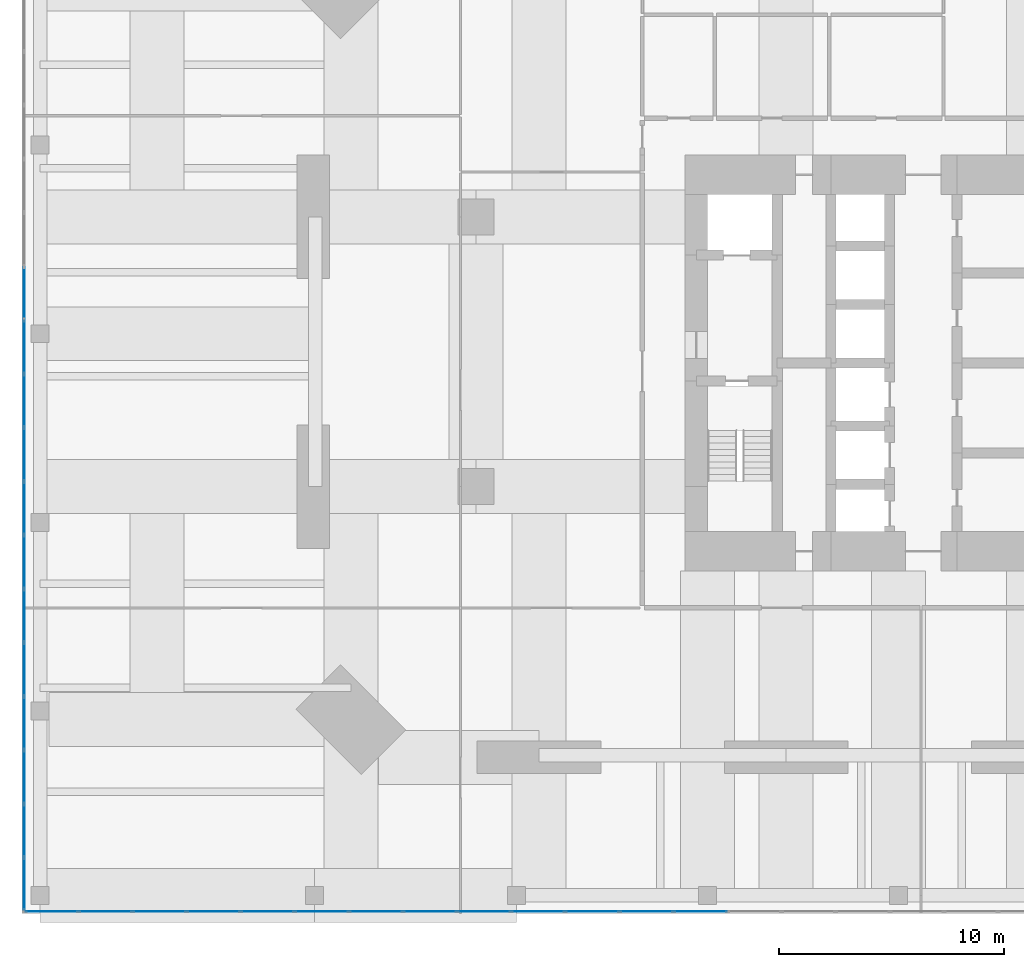
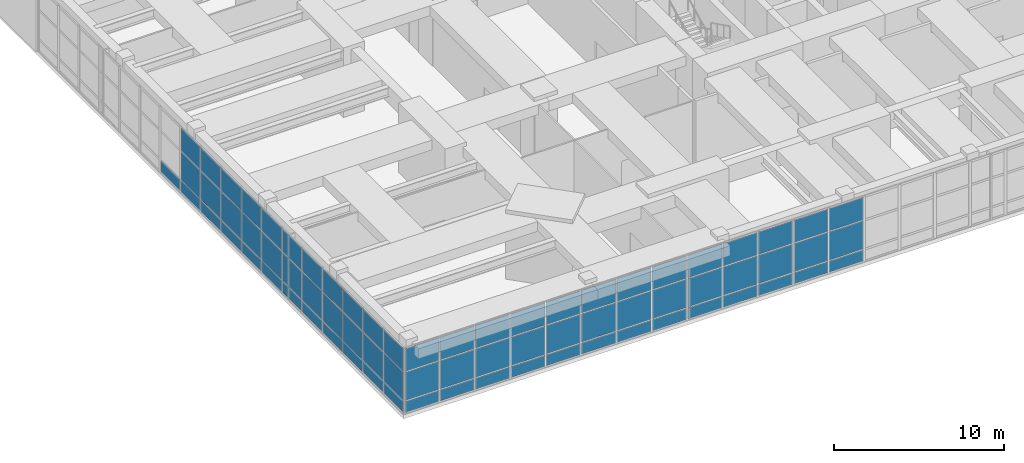
# One storey, part 14 of 24: 73 plates, 2 elements without a shape of their own.
"""IFC4 building model written with IfcOpenShell, lengths in metres."""

from ifc_helpers import new_model, si_unit, direction, frame, origin, origin_2d, place, context, subcontext, project, spatial, rectangle, extrude, material, layer, layer_set, type_object, element, aggregate, save


model = new_model("IFC4")

# Units and contexts
model_context = context("Model", 3, precision=1e-05, world=origin(), true_north=direction((0.0, 1.0)))
body_context = subcontext(model_context, "Body", "Model", "MODEL_VIEW")
ifc_project = project(units=[si_unit("LENGTHUNIT", "METRE"), si_unit("AREAUNIT", "SQUARE_METRE"), si_unit("VOLUMEUNIT", "CUBIC_METRE"), si_unit("PLANEANGLEUNIT", "RADIAN"), si_unit("MASSUNIT", "GRAM", prefix="KILO")], contexts=[model_context])

# Site, building, storey
site_placement = place(None, origin())
site = spatial("IfcSite", under=ifc_project, at=site_placement, CompositionType="ELEMENT")
building_placement = place(site_placement, origin())
building = spatial("IfcBuilding", under=site, at=building_placement, Name="Jalousie Tower", CompositionType="ELEMENT")
storey_placement = place(building_placement, frame((0.0, 0.0, 11.0)))
storey = spatial("IfcBuildingStorey", under=building, at=storey_placement, Name="L02", CompositionType="ELEMENT", Elevation=11.0)

# Curtain wall, plates
ifc_material_1 = material(Name="Aluminium curtain wall", Category="aluminium")
curtain_wall_type = type_object("IfcCurtainWallType", Name="PODIUM WINDOW WALL", PredefinedType="USERDEFINED", material=ifc_material_1)
curtain_wall_1_placement = place(storey_placement, origin())
curtain_wall_1 = element("IfcCurtainWall", 1, at=curtain_wall_1_placement, inside=storey, type_object=curtain_wall_type, Name="Podium Window Wall L02 1", ObjectType="PODIUM WINDOW WALL", PredefinedType="USERDEFINED")
ifc_material_2 = material(Name="Laminated impact-rated glass", Category="glass")
ifc_layer = layer(ifc_material_2, 0.030029296875)
ifc_layer_set = layer_set([ifc_layer], Name="Laminated impact-rated glass")
plate_type = type_object("IfcPlateType", Name="PODIUM WINDOW WALL PANEL", PredefinedType="CURTAIN_PANEL", material=ifc_layer_set)
plate_1_placement = place(storey_placement, frame((-8.691162109375, -5.91259765625, 0.070068359375), z_axis=(0.0, 0.0, 1.0), x_axis=(1.0, 0.0, 0.0)))
plate_1 = element("IfcPlate", 2, at=plate_1_placement, type_object=plate_type, Name="CW-P panel 1.1", PredefinedType="CURTAIN_PANEL", context=body_context, shape_type="SweptSolid", body=[
    extrude(rectangle(XDim=2.302734375, YDim=0.030029296875, at=origin_2d()), origin(), (0.0, 0.0, 1.0), 0.794921875),
])
plate_2_placement = place(storey_placement, frame((-8.691162109375, -5.91259765625, 0.93505859375), z_axis=(0.0, 0.0, 1.0), x_axis=(1.0, 0.0, 0.0)))
plate_2 = element("IfcPlate", 3, at=plate_2_placement, type_object=plate_type, Name="CW-P panel 1.2", PredefinedType="CURTAIN_PANEL", context=body_context, shape_type="SweptSolid", body=[
    extrude(rectangle(XDim=2.302734375, YDim=0.030029296875, at=origin_2d()), origin(), (0.0, 0.0, 1.0), 2.030029296875),
])
plate_3_placement = place(storey_placement, frame((-8.691162109375, -5.91259765625, 3.03515625), z_axis=(0.0, 0.0, 1.0), x_axis=(1.0, 0.0, 0.0)))
plate_3 = element("IfcPlate", 4, at=plate_3_placement, type_object=plate_type, Name="CW-P panel 1.3", PredefinedType="CURTAIN_PANEL", context=body_context, shape_type="SweptSolid", body=[
    extrude(rectangle(XDim=2.302734375, YDim=0.030029296875, at=origin_2d()), origin(), (0.0, 0.0, 1.0), 1.614990234375),
])
plate_4_placement = place(storey_placement, frame((-6.30078125, -5.91259765625, 0.070068359375), z_axis=(0.0, 0.0, 1.0), x_axis=(1.0, 0.0, 0.0)))
plate_4 = element("IfcPlate", 5, at=plate_4_placement, type_object=plate_type, Name="CW-P panel 2.1", PredefinedType="CURTAIN_PANEL", context=body_context, shape_type="SweptSolid", body=[
    extrude(rectangle(XDim=2.337646484375, YDim=0.030029296875, at=origin_2d()), origin(), (0.0, 0.0, 1.0), 0.794921875),
])
plate_5_placement = place(storey_placement, frame((-6.30078125, -5.91259765625, 0.93505859375), z_axis=(0.0, 0.0, 1.0), x_axis=(1.0, 0.0, 0.0)))
plate_5 = element("IfcPlate", 6, at=plate_5_placement, type_object=plate_type, Name="CW-P panel 2.2", PredefinedType="CURTAIN_PANEL", context=body_context, shape_type="SweptSolid", body=[
    extrude(rectangle(XDim=2.337646484375, YDim=0.030029296875, at=origin_2d()), origin(), (0.0, 0.0, 1.0), 2.030029296875),
])
plate_6_placement = place(storey_placement, frame((-6.30078125, -5.91259765625, 3.03515625), z_axis=(0.0, 0.0, 1.0), x_axis=(1.0, 0.0, 0.0)))
plate_6 = element("IfcPlate", 7, at=plate_6_placement, type_object=plate_type, Name="CW-P panel 2.3", PredefinedType="CURTAIN_PANEL", context=body_context, shape_type="SweptSolid", body=[
    extrude(rectangle(XDim=2.337646484375, YDim=0.030029296875, at=origin_2d()), origin(), (0.0, 0.0, 1.0), 1.614990234375),
])
plate_7_placement = place(storey_placement, frame((-3.89306640625, -5.91259765625, 0.070068359375), z_axis=(0.0, 0.0, 1.0), x_axis=(1.0, 0.0, 0.0)))
plate_7 = element("IfcPlate", 8, at=plate_7_placement, type_object=plate_type, Name="CW-P panel 3.1", PredefinedType="CURTAIN_PANEL", context=body_context, shape_type="SweptSolid", body=[
    extrude(rectangle(XDim=2.337646484375, YDim=0.030029296875, at=origin_2d()), origin(), (0.0, 0.0, 1.0), 0.794921875),
])
plate_8_placement = place(storey_placement, frame((-3.89306640625, -5.91259765625, 0.93505859375), z_axis=(0.0, 0.0, 1.0), x_axis=(1.0, 0.0, 0.0)))
plate_8 = element("IfcPlate", 9, at=plate_8_placement, type_object=plate_type, Name="CW-P panel 3.2", PredefinedType="CURTAIN_PANEL", context=body_context, shape_type="SweptSolid", body=[
    extrude(rectangle(XDim=2.337646484375, YDim=0.030029296875, at=origin_2d()), origin(), (0.0, 0.0, 1.0), 2.030029296875),
])
plate_9_placement = place(storey_placement, frame((-3.89306640625, -5.91259765625, 3.03515625), z_axis=(0.0, 0.0, 1.0), x_axis=(1.0, 0.0, 0.0)))
plate_9 = element("IfcPlate", 10, at=plate_9_placement, type_object=plate_type, Name="CW-P panel 3.3", PredefinedType="CURTAIN_PANEL", context=body_context, shape_type="SweptSolid", body=[
    extrude(rectangle(XDim=2.337646484375, YDim=0.030029296875, at=origin_2d()), origin(), (0.0, 0.0, 1.0), 1.614990234375),
])
plate_10_placement = place(storey_placement, frame((-1.4853515625, -5.91259765625, 0.070068359375), z_axis=(0.0, 0.0, 1.0), x_axis=(1.0, 0.0, 0.0)))
plate_10 = element("IfcPlate", 11, at=plate_10_placement, type_object=plate_type, Name="CW-P panel 4.1", PredefinedType="CURTAIN_PANEL", context=body_context, shape_type="SweptSolid", body=[
    extrude(rectangle(XDim=2.337646484375, YDim=0.030029296875, at=origin_2d()), origin(), (0.0, 0.0, 1.0), 0.794921875),
])
plate_11_placement = place(storey_placement, frame((-1.4853515625, -5.91259765625, 0.93505859375), z_axis=(0.0, 0.0, 1.0), x_axis=(1.0, 0.0, 0.0)))
plate_11 = element("IfcPlate", 12, at=plate_11_placement, type_object=plate_type, Name="CW-P panel 4.2", PredefinedType="CURTAIN_PANEL", context=body_context, shape_type="SweptSolid", body=[
    extrude(rectangle(XDim=2.337646484375, YDim=0.030029296875, at=origin_2d()), origin(), (0.0, 0.0, 1.0), 2.030029296875),
])
plate_12_placement = place(storey_placement, frame((-1.4853515625, -5.91259765625, 3.03515625), z_axis=(0.0, 0.0, 1.0), x_axis=(1.0, 0.0, 0.0)))
plate_12 = element("IfcPlate", 13, at=plate_12_placement, type_object=plate_type, Name="CW-P panel 4.3", PredefinedType="CURTAIN_PANEL", context=body_context, shape_type="SweptSolid", body=[
    extrude(rectangle(XDim=2.337646484375, YDim=0.030029296875, at=origin_2d()), origin(), (0.0, 0.0, 1.0), 1.614990234375),
])
plate_13_placement = place(storey_placement, frame((0.92236328125, -5.91259765625, 0.070068359375), z_axis=(0.0, 0.0, 1.0), x_axis=(1.0, 0.0, 0.0)))
plate_13 = element("IfcPlate", 14, at=plate_13_placement, type_object=plate_type, Name="CW-P panel 5.1", PredefinedType="CURTAIN_PANEL", context=body_context, shape_type="SweptSolid", body=[
    extrude(rectangle(XDim=2.337646484375, YDim=0.030029296875, at=origin_2d()), origin(), (0.0, 0.0, 1.0), 0.794921875),
])
plate_14_placement = place(storey_placement, frame((0.92236328125, -5.91259765625, 0.93505859375), z_axis=(0.0, 0.0, 1.0), x_axis=(1.0, 0.0, 0.0)))
plate_14 = element("IfcPlate", 15, at=plate_14_placement, type_object=plate_type, Name="CW-P panel 5.2", PredefinedType="CURTAIN_PANEL", context=body_context, shape_type="SweptSolid", body=[
    extrude(rectangle(XDim=2.337646484375, YDim=0.030029296875, at=origin_2d()), origin(), (0.0, 0.0, 1.0), 2.030029296875),
])
plate_15_placement = place(storey_placement, frame((0.92236328125, -5.91259765625, 3.03515625), z_axis=(0.0, 0.0, 1.0), x_axis=(1.0, 0.0, 0.0)))
plate_15 = element("IfcPlate", 16, at=plate_15_placement, type_object=plate_type, Name="CW-P panel 5.3", PredefinedType="CURTAIN_PANEL", context=body_context, shape_type="SweptSolid", body=[
    extrude(rectangle(XDim=2.337646484375, YDim=0.030029296875, at=origin_2d()), origin(), (0.0, 0.0, 1.0), 1.614990234375),
])
plate_16_placement = place(storey_placement, frame((3.330078125, -5.91259765625, 0.070068359375), z_axis=(0.0, 0.0, 1.0), x_axis=(1.0, 0.0, 0.0)))
plate_16 = element("IfcPlate", 17, at=plate_16_placement, type_object=plate_type, Name="CW-P panel 6.1", PredefinedType="CURTAIN_PANEL", context=body_context, shape_type="SweptSolid", body=[
    extrude(rectangle(XDim=2.337646484375, YDim=0.030029296875, at=origin_2d()), origin(), (0.0, 0.0, 1.0), 0.794921875),
])
plate_17_placement = place(storey_placement, frame((3.330078125, -5.91259765625, 0.93505859375), z_axis=(0.0, 0.0, 1.0), x_axis=(1.0, 0.0, 0.0)))
plate_17 = element("IfcPlate", 18, at=plate_17_placement, type_object=plate_type, Name="CW-P panel 6.2", PredefinedType="CURTAIN_PANEL", context=body_context, shape_type="SweptSolid", body=[
    extrude(rectangle(XDim=2.337646484375, YDim=0.030029296875, at=origin_2d()), origin(), (0.0, 0.0, 1.0), 2.030029296875),
])
plate_18_placement = place(storey_placement, frame((3.330078125, -5.91259765625, 3.03515625), z_axis=(0.0, 0.0, 1.0), x_axis=(1.0, 0.0, 0.0)))
plate_18 = element("IfcPlate", 19, at=plate_18_placement, type_object=plate_type, Name="CW-P panel 6.3", PredefinedType="CURTAIN_PANEL", context=body_context, shape_type="SweptSolid", body=[
    extrude(rectangle(XDim=2.337646484375, YDim=0.030029296875, at=origin_2d()), origin(), (0.0, 0.0, 1.0), 1.614990234375),
])
plate_19_placement = place(storey_placement, frame((5.738037109375, -5.91259765625, 0.070068359375), z_axis=(0.0, 0.0, 1.0), x_axis=(1.0, 0.0, 0.0)))
plate_19 = element("IfcPlate", 20, at=plate_19_placement, type_object=plate_type, Name="CW-P panel 7.1", PredefinedType="CURTAIN_PANEL", context=body_context, shape_type="SweptSolid", body=[
    extrude(rectangle(XDim=2.337646484375, YDim=0.030029296875, at=origin_2d()), origin(), (0.0, 0.0, 1.0), 0.794921875),
])
plate_20_placement = place(storey_placement, frame((5.738037109375, -5.91259765625, 0.93505859375), z_axis=(0.0, 0.0, 1.0), x_axis=(1.0, 0.0, 0.0)))
plate_20 = element("IfcPlate", 21, at=plate_20_placement, type_object=plate_type, Name="CW-P panel 7.2", PredefinedType="CURTAIN_PANEL", context=body_context, shape_type="SweptSolid", body=[
    extrude(rectangle(XDim=2.337646484375, YDim=0.030029296875, at=origin_2d()), origin(), (0.0, 0.0, 1.0), 2.030029296875),
])
plate_21_placement = place(storey_placement, frame((5.738037109375, -5.91259765625, 3.03515625), z_axis=(0.0, 0.0, 1.0), x_axis=(1.0, 0.0, 0.0)))
plate_21 = element("IfcPlate", 22, at=plate_21_placement, type_object=plate_type, Name="CW-P panel 7.3", PredefinedType="CURTAIN_PANEL", context=body_context, shape_type="SweptSolid", body=[
    extrude(rectangle(XDim=2.337646484375, YDim=0.030029296875, at=origin_2d()), origin(), (0.0, 0.0, 1.0), 1.614990234375),
])
plate_22_placement = place(storey_placement, frame((8.145751953125, -5.91259765625, 0.070068359375), z_axis=(0.0, 0.0, 1.0), x_axis=(1.0, 0.0, 0.0)))
plate_22 = element("IfcPlate", 23, at=plate_22_placement, type_object=plate_type, Name="CW-P panel 8.1", PredefinedType="CURTAIN_PANEL", context=body_context, shape_type="SweptSolid", body=[
    extrude(rectangle(XDim=2.337646484375, YDim=0.030029296875, at=origin_2d()), origin(), (0.0, 0.0, 1.0), 0.794921875),
])
plate_23_placement = place(storey_placement, frame((8.145751953125, -5.91259765625, 0.93505859375), z_axis=(0.0, 0.0, 1.0), x_axis=(1.0, 0.0, 0.0)))
plate_23 = element("IfcPlate", 24, at=plate_23_placement, type_object=plate_type, Name="CW-P panel 8.2", PredefinedType="CURTAIN_PANEL", context=body_context, shape_type="SweptSolid", body=[
    extrude(rectangle(XDim=2.337646484375, YDim=0.030029296875, at=origin_2d()), origin(), (0.0, 0.0, 1.0), 2.030029296875),
])
plate_24_placement = place(storey_placement, frame((8.145751953125, -5.91259765625, 3.03515625), z_axis=(0.0, 0.0, 1.0), x_axis=(1.0, 0.0, 0.0)))
plate_24 = element("IfcPlate", 25, at=plate_24_placement, type_object=plate_type, Name="CW-P panel 8.3", PredefinedType="CURTAIN_PANEL", context=body_context, shape_type="SweptSolid", body=[
    extrude(rectangle(XDim=2.337646484375, YDim=0.030029296875, at=origin_2d()), origin(), (0.0, 0.0, 1.0), 1.614990234375),
])
plate_25_placement = place(storey_placement, frame((10.553466796875, -5.91259765625, 0.070068359375), z_axis=(0.0, 0.0, 1.0), x_axis=(1.0, 0.0, 0.0)))
plate_25 = element("IfcPlate", 26, at=plate_25_placement, type_object=plate_type, Name="CW-P panel 9.1", PredefinedType="CURTAIN_PANEL", context=body_context, shape_type="SweptSolid", body=[
    extrude(rectangle(XDim=2.337646484375, YDim=0.030029296875, at=origin_2d()), origin(), (0.0, 0.0, 1.0), 0.794921875),
])
plate_26_placement = place(storey_placement, frame((10.553466796875, -5.91259765625, 0.93505859375), z_axis=(0.0, 0.0, 1.0), x_axis=(1.0, 0.0, 0.0)))
plate_26 = element("IfcPlate", 27, at=plate_26_placement, type_object=plate_type, Name="CW-P panel 9.2", PredefinedType="CURTAIN_PANEL", context=body_context, shape_type="SweptSolid", body=[
    extrude(rectangle(XDim=2.337646484375, YDim=0.030029296875, at=origin_2d()), origin(), (0.0, 0.0, 1.0), 2.030029296875),
])
plate_27_placement = place(storey_placement, frame((10.553466796875, -5.91259765625, 3.03515625), z_axis=(0.0, 0.0, 1.0), x_axis=(1.0, 0.0, 0.0)))
plate_27 = element("IfcPlate", 28, at=plate_27_placement, type_object=plate_type, Name="CW-P panel 9.3", PredefinedType="CURTAIN_PANEL", context=body_context, shape_type="SweptSolid", body=[
    extrude(rectangle(XDim=2.337646484375, YDim=0.030029296875, at=origin_2d()), origin(), (0.0, 0.0, 1.0), 1.614990234375),
])
plate_28_placement = place(storey_placement, frame((12.961181640625, -5.91259765625, 0.070068359375), z_axis=(0.0, 0.0, 1.0), x_axis=(1.0, 0.0, 0.0)))
plate_28 = element("IfcPlate", 29, at=plate_28_placement, type_object=plate_type, Name="CW-P panel 10.1", PredefinedType="CURTAIN_PANEL", context=body_context, shape_type="SweptSolid", body=[
    extrude(rectangle(XDim=2.337646484375, YDim=0.030029296875, at=origin_2d()), origin(), (0.0, 0.0, 1.0), 0.794921875),
])
plate_29_placement = place(storey_placement, frame((12.961181640625, -5.91259765625, 0.93505859375), z_axis=(0.0, 0.0, 1.0), x_axis=(1.0, 0.0, 0.0)))
plate_29 = element("IfcPlate", 30, at=plate_29_placement, type_object=plate_type, Name="CW-P panel 10.2", PredefinedType="CURTAIN_PANEL", context=body_context, shape_type="SweptSolid", body=[
    extrude(rectangle(XDim=2.337646484375, YDim=0.030029296875, at=origin_2d()), origin(), (0.0, 0.0, 1.0), 2.030029296875),
])
plate_30_placement = place(storey_placement, frame((12.961181640625, -5.91259765625, 3.03515625), z_axis=(0.0, 0.0, 1.0), x_axis=(1.0, 0.0, 0.0)))
plate_30 = element("IfcPlate", 31, at=plate_30_placement, type_object=plate_type, Name="CW-P panel 10.3", PredefinedType="CURTAIN_PANEL", context=body_context, shape_type="SweptSolid", body=[
    extrude(rectangle(XDim=2.337646484375, YDim=0.030029296875, at=origin_2d()), origin(), (0.0, 0.0, 1.0), 1.614990234375),
])
plate_31_placement = place(storey_placement, frame((15.368896484375, -5.91259765625, 0.070068359375), z_axis=(0.0, 0.0, 1.0), x_axis=(1.0, 0.0, 0.0)))
plate_31 = element("IfcPlate", 32, at=plate_31_placement, type_object=plate_type, Name="CW-P panel 11.1", PredefinedType="CURTAIN_PANEL", context=body_context, shape_type="SweptSolid", body=[
    extrude(rectangle(XDim=2.337646484375, YDim=0.030029296875, at=origin_2d()), origin(), (0.0, 0.0, 1.0), 0.794921875),
])
plate_32_placement = place(storey_placement, frame((15.368896484375, -5.91259765625, 0.93505859375), z_axis=(0.0, 0.0, 1.0), x_axis=(1.0, 0.0, 0.0)))
plate_32 = element("IfcPlate", 33, at=plate_32_placement, type_object=plate_type, Name="CW-P panel 11.2", PredefinedType="CURTAIN_PANEL", context=body_context, shape_type="SweptSolid", body=[
    extrude(rectangle(XDim=2.337646484375, YDim=0.030029296875, at=origin_2d()), origin(), (0.0, 0.0, 1.0), 2.030029296875),
])
plate_33_placement = place(storey_placement, frame((15.368896484375, -5.91259765625, 3.03515625), z_axis=(0.0, 0.0, 1.0), x_axis=(1.0, 0.0, 0.0)))
plate_33 = element("IfcPlate", 34, at=plate_33_placement, type_object=plate_type, Name="CW-P panel 11.3", PredefinedType="CURTAIN_PANEL", context=body_context, shape_type="SweptSolid", body=[
    extrude(rectangle(XDim=2.337646484375, YDim=0.030029296875, at=origin_2d()), origin(), (0.0, 0.0, 1.0), 1.614990234375),
])
plate_34_placement = place(storey_placement, frame((17.776611328125, -5.91259765625, 0.070068359375), z_axis=(0.0, 0.0, 1.0), x_axis=(1.0, 0.0, 0.0)))
plate_34 = element("IfcPlate", 35, at=plate_34_placement, type_object=plate_type, Name="CW-P panel 12.1", PredefinedType="CURTAIN_PANEL", context=body_context, shape_type="SweptSolid", body=[
    extrude(rectangle(XDim=2.337646484375, YDim=0.030029296875, at=origin_2d()), origin(), (0.0, 0.0, 1.0), 0.794921875),
])
plate_35_placement = place(storey_placement, frame((17.776611328125, -5.91259765625, 0.93505859375), z_axis=(0.0, 0.0, 1.0), x_axis=(1.0, 0.0, 0.0)))
plate_35 = element("IfcPlate", 36, at=plate_35_placement, type_object=plate_type, Name="CW-P panel 12.2", PredefinedType="CURTAIN_PANEL", context=body_context, shape_type="SweptSolid", body=[
    extrude(rectangle(XDim=2.337646484375, YDim=0.030029296875, at=origin_2d()), origin(), (0.0, 0.0, 1.0), 2.030029296875),
])
plate_36_placement = place(storey_placement, frame((17.776611328125, -5.91259765625, 3.03515625), z_axis=(0.0, 0.0, 1.0), x_axis=(1.0, 0.0, 0.0)))
plate_36 = element("IfcPlate", 37, at=plate_36_placement, type_object=plate_type, Name="CW-P panel 12.3", PredefinedType="CURTAIN_PANEL", context=body_context, shape_type="SweptSolid", body=[
    extrude(rectangle(XDim=2.337646484375, YDim=0.030029296875, at=origin_2d()), origin(), (0.0, 0.0, 1.0), 1.614990234375),
])
plate_37_placement = place(storey_placement, frame((20.1845703125, -5.91259765625, 0.070068359375), z_axis=(0.0, 0.0, 1.0), x_axis=(1.0, 0.0, 0.0)))
plate_37 = element("IfcPlate", 38, at=plate_37_placement, type_object=plate_type, Name="CW-P panel 13.1", PredefinedType="CURTAIN_PANEL", context=body_context, shape_type="SweptSolid", body=[
    extrude(rectangle(XDim=2.337646484375, YDim=0.030029296875, at=origin_2d()), origin(), (0.0, 0.0, 1.0), 0.794921875),
])
plate_38_placement = place(storey_placement, frame((20.1845703125, -5.91259765625, 0.93505859375), z_axis=(0.0, 0.0, 1.0), x_axis=(1.0, 0.0, 0.0)))
plate_38 = element("IfcPlate", 39, at=plate_38_placement, type_object=plate_type, Name="CW-P panel 13.2", PredefinedType="CURTAIN_PANEL", context=body_context, shape_type="SweptSolid", body=[
    extrude(rectangle(XDim=2.337646484375, YDim=0.030029296875, at=origin_2d()), origin(), (0.0, 0.0, 1.0), 2.030029296875),
])
plate_39_placement = place(storey_placement, frame((20.1845703125, -5.91259765625, 3.03515625), z_axis=(0.0, 0.0, 1.0), x_axis=(1.0, 0.0, 0.0)))
plate_39 = element("IfcPlate", 40, at=plate_39_placement, type_object=plate_type, Name="CW-P panel 13.3", PredefinedType="CURTAIN_PANEL", context=body_context, shape_type="SweptSolid", body=[
    extrude(rectangle(XDim=2.337646484375, YDim=0.030029296875, at=origin_2d()), origin(), (0.0, 0.0, 1.0), 1.614990234375),
])
aggregate(curtain_wall_1, [plate_1, plate_2, plate_3, plate_4, plate_5, plate_6, plate_7, plate_8, plate_9, plate_10, plate_11, plate_12, plate_13, plate_14, plate_15, plate_16, plate_17, plate_18, plate_19, plate_20, plate_21, plate_22, plate_23, plate_24, plate_25, plate_26, plate_27, plate_28, plate_29, plate_30, plate_31, plate_32, plate_33, plate_34, plate_35, plate_36, plate_37, plate_38, plate_39])

curtain_wall_2_placement = place(storey_placement, origin())
curtain_wall_2 = element("IfcCurtainWall", 41, at=curtain_wall_2_placement, inside=storey, type_object=curtain_wall_type, Name="Podium Window Wall L02 33", ObjectType="PODIUM WINDOW WALL", PredefinedType="USERDEFINED")
plate_40_placement = place(storey_placement, frame((-9.91259765625, 21.599609375, 0.070068359375), z_axis=(0.0, 0.0, 1.0), x_axis=(0.0, -1.0, 0.0)))
plate_40 = element("IfcPlate", 42, at=plate_40_placement, type_object=plate_type, Name="CW-P panel 7.1", PredefinedType="CURTAIN_PANEL", context=body_context, shape_type="SweptSolid", body=[
    extrude(rectangle(XDim=2.322265625, YDim=0.030029296875, at=origin_2d()), origin(), (0.0, 0.0, 1.0), 0.794921875),
])
plate_41_placement = place(storey_placement, frame((-9.91259765625, 19.207275390625, 0.070068359375), z_axis=(0.0, 0.0, 1.0), x_axis=(0.0, -1.0, 0.0)))
plate_41 = element("IfcPlate", 43, at=plate_41_placement, type_object=plate_type, Name="CW-P panel 8.1", PredefinedType="CURTAIN_PANEL", context=body_context, shape_type="SweptSolid", body=[
    extrude(rectangle(XDim=2.322265625, YDim=0.030029296875, at=origin_2d()), origin(), (0.0, 0.0, 1.0), 0.794921875),
])
plate_42_placement = place(storey_placement, frame((-9.91259765625, 19.207275390625, 0.93505859375), z_axis=(0.0, 0.0, 1.0), x_axis=(0.0, -1.0, 0.0)))
plate_42 = element("IfcPlate", 44, at=plate_42_placement, type_object=plate_type, Name="CW-P panel 8.2", PredefinedType="CURTAIN_PANEL", context=body_context, shape_type="SweptSolid", body=[
    extrude(rectangle(XDim=2.322265625, YDim=0.030029296875, at=origin_2d()), origin(), (0.0, 0.0, 1.0), 2.030029296875),
])
plate_43_placement = place(storey_placement, frame((-9.91259765625, 19.207275390625, 3.03515625), z_axis=(0.0, 0.0, 1.0), x_axis=(0.0, -1.0, 0.0)))
plate_43 = element("IfcPlate", 45, at=plate_43_placement, type_object=plate_type, Name="CW-P panel 8.3", PredefinedType="CURTAIN_PANEL", context=body_context, shape_type="SweptSolid", body=[
    extrude(rectangle(XDim=2.322265625, YDim=0.030029296875, at=origin_2d()), origin(), (0.0, 0.0, 1.0), 1.614990234375),
])
plate_44_placement = place(storey_placement, frame((-9.91259765625, 16.81494140625, 0.070068359375), z_axis=(0.0, 0.0, 1.0), x_axis=(0.0, -1.0, 0.0)))
plate_44 = element("IfcPlate", 46, at=plate_44_placement, type_object=plate_type, Name="CW-P panel 9.1", PredefinedType="CURTAIN_PANEL", context=body_context, shape_type="SweptSolid", body=[
    extrude(rectangle(XDim=2.322265625, YDim=0.030029296875, at=origin_2d()), origin(), (0.0, 0.0, 1.0), 0.794921875),
])
plate_45_placement = place(storey_placement, frame((-9.91259765625, 16.81494140625, 0.93505859375), z_axis=(0.0, 0.0, 1.0), x_axis=(0.0, -1.0, 0.0)))
plate_45 = element("IfcPlate", 47, at=plate_45_placement, type_object=plate_type, Name="CW-P panel 9.2", PredefinedType="CURTAIN_PANEL", context=body_context, shape_type="SweptSolid", body=[
    extrude(rectangle(XDim=2.322265625, YDim=0.030029296875, at=origin_2d()), origin(), (0.0, 0.0, 1.0), 2.030029296875),
])
plate_46_placement = place(storey_placement, frame((-9.91259765625, 16.81494140625, 3.03515625), z_axis=(0.0, 0.0, 1.0), x_axis=(0.0, -1.0, 0.0)))
plate_46 = element("IfcPlate", 48, at=plate_46_placement, type_object=plate_type, Name="CW-P panel 9.3", PredefinedType="CURTAIN_PANEL", context=body_context, shape_type="SweptSolid", body=[
    extrude(rectangle(XDim=2.322265625, YDim=0.030029296875, at=origin_2d()), origin(), (0.0, 0.0, 1.0), 1.614990234375),
])
plate_47_placement = place(storey_placement, frame((-9.91259765625, 14.422607421875, 0.070068359375), z_axis=(0.0, 0.0, 1.0), x_axis=(0.0, -1.0, 0.0)))
plate_47 = element("IfcPlate", 49, at=plate_47_placement, type_object=plate_type, Name="CW-P panel 10.1", PredefinedType="CURTAIN_PANEL", context=body_context, shape_type="SweptSolid", body=[
    extrude(rectangle(XDim=2.322265625, YDim=0.030029296875, at=origin_2d()), origin(), (0.0, 0.0, 1.0), 0.794921875),
])
plate_48_placement = place(storey_placement, frame((-9.91259765625, 14.422607421875, 0.93505859375), z_axis=(0.0, 0.0, 1.0), x_axis=(0.0, -1.0, 0.0)))
plate_48 = element("IfcPlate", 50, at=plate_48_placement, type_object=plate_type, Name="CW-P panel 10.2", PredefinedType="CURTAIN_PANEL", context=body_context, shape_type="SweptSolid", body=[
    extrude(rectangle(XDim=2.322265625, YDim=0.030029296875, at=origin_2d()), origin(), (0.0, 0.0, 1.0), 2.030029296875),
])
plate_49_placement = place(storey_placement, frame((-9.91259765625, 14.422607421875, 3.03515625), z_axis=(0.0, 0.0, 1.0), x_axis=(0.0, -1.0, 0.0)))
plate_49 = element("IfcPlate", 51, at=plate_49_placement, type_object=plate_type, Name="CW-P panel 10.3", PredefinedType="CURTAIN_PANEL", context=body_context, shape_type="SweptSolid", body=[
    extrude(rectangle(XDim=2.322265625, YDim=0.030029296875, at=origin_2d()), origin(), (0.0, 0.0, 1.0), 1.614990234375),
])
plate_50_placement = place(storey_placement, frame((-9.91259765625, 12.0302734375, 0.070068359375), z_axis=(0.0, 0.0, 1.0), x_axis=(0.0, -1.0, 0.0)))
plate_50 = element("IfcPlate", 52, at=plate_50_placement, type_object=plate_type, Name="CW-P panel 11.1", PredefinedType="CURTAIN_PANEL", context=body_context, shape_type="SweptSolid", body=[
    extrude(rectangle(XDim=2.322265625, YDim=0.030029296875, at=origin_2d()), origin(), (0.0, 0.0, 1.0), 0.794921875),
])
plate_51_placement = place(storey_placement, frame((-9.91259765625, 12.0302734375, 0.93505859375), z_axis=(0.0, 0.0, 1.0), x_axis=(0.0, -1.0, 0.0)))
plate_51 = element("IfcPlate", 53, at=plate_51_placement, type_object=plate_type, Name="CW-P panel 11.2", PredefinedType="CURTAIN_PANEL", context=body_context, shape_type="SweptSolid", body=[
    extrude(rectangle(XDim=2.322265625, YDim=0.030029296875, at=origin_2d()), origin(), (0.0, 0.0, 1.0), 2.030029296875),
])
plate_52_placement = place(storey_placement, frame((-9.91259765625, 12.0302734375, 3.03515625), z_axis=(0.0, 0.0, 1.0), x_axis=(0.0, -1.0, 0.0)))
plate_52 = element("IfcPlate", 54, at=plate_52_placement, type_object=plate_type, Name="CW-P panel 11.3", PredefinedType="CURTAIN_PANEL", context=body_context, shape_type="SweptSolid", body=[
    extrude(rectangle(XDim=2.322265625, YDim=0.030029296875, at=origin_2d()), origin(), (0.0, 0.0, 1.0), 1.614990234375),
])
plate_53_placement = place(storey_placement, frame((-9.91259765625, 9.637939453125, 0.070068359375), z_axis=(0.0, 0.0, 1.0), x_axis=(0.0, -1.0, 0.0)))
plate_53 = element("IfcPlate", 55, at=plate_53_placement, type_object=plate_type, Name="CW-P panel 12.1", PredefinedType="CURTAIN_PANEL", context=body_context, shape_type="SweptSolid", body=[
    extrude(rectangle(XDim=2.322265625, YDim=0.030029296875, at=origin_2d()), origin(), (0.0, 0.0, 1.0), 0.794921875),
])
plate_54_placement = place(storey_placement, frame((-9.91259765625, 9.637939453125, 0.93505859375), z_axis=(0.0, 0.0, 1.0), x_axis=(0.0, -1.0, 0.0)))
plate_54 = element("IfcPlate", 56, at=plate_54_placement, type_object=plate_type, Name="CW-P panel 12.2", PredefinedType="CURTAIN_PANEL", context=body_context, shape_type="SweptSolid", body=[
    extrude(rectangle(XDim=2.322265625, YDim=0.030029296875, at=origin_2d()), origin(), (0.0, 0.0, 1.0), 2.030029296875),
])
plate_55_placement = place(storey_placement, frame((-9.91259765625, 9.637939453125, 3.03515625), z_axis=(0.0, 0.0, 1.0), x_axis=(0.0, -1.0, 0.0)))
plate_55 = element("IfcPlate", 57, at=plate_55_placement, type_object=plate_type, Name="CW-P panel 12.3", PredefinedType="CURTAIN_PANEL", context=body_context, shape_type="SweptSolid", body=[
    extrude(rectangle(XDim=2.322265625, YDim=0.030029296875, at=origin_2d()), origin(), (0.0, 0.0, 1.0), 1.614990234375),
])
plate_56_placement = place(storey_placement, frame((-9.91259765625, 7.24560546875, 0.070068359375), z_axis=(0.0, 0.0, 1.0), x_axis=(0.0, -1.0, 0.0)))
plate_56 = element("IfcPlate", 58, at=plate_56_placement, type_object=plate_type, Name="CW-P panel 13.1", PredefinedType="CURTAIN_PANEL", context=body_context, shape_type="SweptSolid", body=[
    extrude(rectangle(XDim=2.322265625, YDim=0.030029296875, at=origin_2d()), origin(), (0.0, 0.0, 1.0), 0.794921875),
])
plate_57_placement = place(storey_placement, frame((-9.91259765625, 7.24560546875, 0.93505859375), z_axis=(0.0, 0.0, 1.0), x_axis=(0.0, -1.0, 0.0)))
plate_57 = element("IfcPlate", 59, at=plate_57_placement, type_object=plate_type, Name="CW-P panel 13.2", PredefinedType="CURTAIN_PANEL", context=body_context, shape_type="SweptSolid", body=[
    extrude(rectangle(XDim=2.322265625, YDim=0.030029296875, at=origin_2d()), origin(), (0.0, 0.0, 1.0), 2.030029296875),
])
plate_58_placement = place(storey_placement, frame((-9.91259765625, 7.24560546875, 3.03515625), z_axis=(0.0, 0.0, 1.0), x_axis=(0.0, -1.0, 0.0)))
plate_58 = element("IfcPlate", 60, at=plate_58_placement, type_object=plate_type, Name="CW-P panel 13.3", PredefinedType="CURTAIN_PANEL", context=body_context, shape_type="SweptSolid", body=[
    extrude(rectangle(XDim=2.322265625, YDim=0.030029296875, at=origin_2d()), origin(), (0.0, 0.0, 1.0), 1.614990234375),
])
plate_59_placement = place(storey_placement, frame((-9.91259765625, 4.85302734375, 0.070068359375), z_axis=(0.0, 0.0, 1.0), x_axis=(0.0, -1.0, 0.0)))
plate_59 = element("IfcPlate", 61, at=plate_59_placement, type_object=plate_type, Name="CW-P panel 14.1", PredefinedType="CURTAIN_PANEL", context=body_context, shape_type="SweptSolid", body=[
    extrude(rectangle(XDim=2.322265625, YDim=0.030029296875, at=origin_2d()), origin(), (0.0, 0.0, 1.0), 0.794921875),
])
plate_60_placement = place(storey_placement, frame((-9.91259765625, 4.85302734375, 0.93505859375), z_axis=(0.0, 0.0, 1.0), x_axis=(0.0, -1.0, 0.0)))
plate_60 = element("IfcPlate", 62, at=plate_60_placement, type_object=plate_type, Name="CW-P panel 14.2", PredefinedType="CURTAIN_PANEL", context=body_context, shape_type="SweptSolid", body=[
    extrude(rectangle(XDim=2.322265625, YDim=0.030029296875, at=origin_2d()), origin(), (0.0, 0.0, 1.0), 2.030029296875),
])
plate_61_placement = place(storey_placement, frame((-9.91259765625, 4.85302734375, 3.03515625), z_axis=(0.0, 0.0, 1.0), x_axis=(0.0, -1.0, 0.0)))
plate_61 = element("IfcPlate", 63, at=plate_61_placement, type_object=plate_type, Name="CW-P panel 14.3", PredefinedType="CURTAIN_PANEL", context=body_context, shape_type="SweptSolid", body=[
    extrude(rectangle(XDim=2.322265625, YDim=0.030029296875, at=origin_2d()), origin(), (0.0, 0.0, 1.0), 1.614990234375),
])
plate_62_placement = place(storey_placement, frame((-9.91259765625, 2.460693359375, 0.070068359375), z_axis=(0.0, 0.0, 1.0), x_axis=(0.0, -1.0, 0.0)))
plate_62 = element("IfcPlate", 64, at=plate_62_placement, type_object=plate_type, Name="CW-P panel 15.1", PredefinedType="CURTAIN_PANEL", context=body_context, shape_type="SweptSolid", body=[
    extrude(rectangle(XDim=2.322265625, YDim=0.030029296875, at=origin_2d()), origin(), (0.0, 0.0, 1.0), 0.794921875),
])
plate_63_placement = place(storey_placement, frame((-9.91259765625, 2.460693359375, 0.93505859375), z_axis=(0.0, 0.0, 1.0), x_axis=(0.0, -1.0, 0.0)))
plate_63 = element("IfcPlate", 65, at=plate_63_placement, type_object=plate_type, Name="CW-P panel 15.2", PredefinedType="CURTAIN_PANEL", context=body_context, shape_type="SweptSolid", body=[
    extrude(rectangle(XDim=2.322265625, YDim=0.030029296875, at=origin_2d()), origin(), (0.0, 0.0, 1.0), 2.030029296875),
])
plate_64_placement = place(storey_placement, frame((-9.91259765625, 2.460693359375, 3.03515625), z_axis=(0.0, 0.0, 1.0), x_axis=(0.0, -1.0, 0.0)))
plate_64 = element("IfcPlate", 66, at=plate_64_placement, type_object=plate_type, Name="CW-P panel 15.3", PredefinedType="CURTAIN_PANEL", context=body_context, shape_type="SweptSolid", body=[
    extrude(rectangle(XDim=2.322265625, YDim=0.030029296875, at=origin_2d()), origin(), (0.0, 0.0, 1.0), 1.614990234375),
])
plate_65_placement = place(storey_placement, frame((-9.91259765625, 0.068359375, 0.070068359375), z_axis=(0.0, 0.0, 1.0), x_axis=(0.0, -1.0, 0.0)))
plate_65 = element("IfcPlate", 67, at=plate_65_placement, type_object=plate_type, Name="CW-P panel 16.1", PredefinedType="CURTAIN_PANEL", context=body_context, shape_type="SweptSolid", body=[
    extrude(rectangle(XDim=2.322265625, YDim=0.030029296875, at=origin_2d()), origin(), (0.0, 0.0, 1.0), 0.794921875),
])
plate_66_placement = place(storey_placement, frame((-9.91259765625, 0.068359375, 0.93505859375), z_axis=(0.0, 0.0, 1.0), x_axis=(0.0, -1.0, 0.0)))
plate_66 = element("IfcPlate", 68, at=plate_66_placement, type_object=plate_type, Name="CW-P panel 16.2", PredefinedType="CURTAIN_PANEL", context=body_context, shape_type="SweptSolid", body=[
    extrude(rectangle(XDim=2.322265625, YDim=0.030029296875, at=origin_2d()), origin(), (0.0, 0.0, 1.0), 2.030029296875),
])
plate_67_placement = place(storey_placement, frame((-9.91259765625, 0.068359375, 3.03515625), z_axis=(0.0, 0.0, 1.0), x_axis=(0.0, -1.0, 0.0)))
plate_67 = element("IfcPlate", 69, at=plate_67_placement, type_object=plate_type, Name="CW-P panel 16.3", PredefinedType="CURTAIN_PANEL", context=body_context, shape_type="SweptSolid", body=[
    extrude(rectangle(XDim=2.322265625, YDim=0.030029296875, at=origin_2d()), origin(), (0.0, 0.0, 1.0), 1.614990234375),
])
plate_68_placement = place(storey_placement, frame((-9.91259765625, -2.323974609375, 0.070068359375), z_axis=(0.0, 0.0, 1.0), x_axis=(0.0, -1.0, 0.0)))
plate_68 = element("IfcPlate", 70, at=plate_68_placement, type_object=plate_type, Name="CW-P panel 17.1", PredefinedType="CURTAIN_PANEL", context=body_context, shape_type="SweptSolid", body=[
    extrude(rectangle(XDim=2.322265625, YDim=0.030029296875, at=origin_2d()), origin(), (0.0, 0.0, 1.0), 0.794921875),
])
plate_69_placement = place(storey_placement, frame((-9.91259765625, -2.323974609375, 0.93505859375), z_axis=(0.0, 0.0, 1.0), x_axis=(0.0, -1.0, 0.0)))
plate_69 = element("IfcPlate", 71, at=plate_69_placement, type_object=plate_type, Name="CW-P panel 17.2", PredefinedType="CURTAIN_PANEL", context=body_context, shape_type="SweptSolid", body=[
    extrude(rectangle(XDim=2.322265625, YDim=0.030029296875, at=origin_2d()), origin(), (0.0, 0.0, 1.0), 2.030029296875),
])
plate_70_placement = place(storey_placement, frame((-9.91259765625, -2.323974609375, 3.03515625), z_axis=(0.0, 0.0, 1.0), x_axis=(0.0, -1.0, 0.0)))
plate_70 = element("IfcPlate", 72, at=plate_70_placement, type_object=plate_type, Name="CW-P panel 17.3", PredefinedType="CURTAIN_PANEL", context=body_context, shape_type="SweptSolid", body=[
    extrude(rectangle(XDim=2.322265625, YDim=0.030029296875, at=origin_2d()), origin(), (0.0, 0.0, 1.0), 1.614990234375),
])
plate_71_placement = place(storey_placement, frame((-9.91259765625, -4.69873046875, 0.070068359375), z_axis=(0.0, 0.0, 1.0), x_axis=(0.0, -1.0, 0.0)))
plate_71 = element("IfcPlate", 73, at=plate_71_placement, type_object=plate_type, Name="CW-P panel 18.1", PredefinedType="CURTAIN_PANEL", context=body_context, shape_type="SweptSolid", body=[
    extrude(rectangle(XDim=2.287353515625, YDim=0.030029296875, at=origin_2d()), origin(), (0.0, 0.0, 1.0), 0.794921875),
])
plate_72_placement = place(storey_placement, frame((-9.91259765625, -4.69873046875, 0.93505859375), z_axis=(0.0, 0.0, 1.0), x_axis=(0.0, -1.0, 0.0)))
plate_72 = element("IfcPlate", 74, at=plate_72_placement, type_object=plate_type, Name="CW-P panel 18.2", PredefinedType="CURTAIN_PANEL", context=body_context, shape_type="SweptSolid", body=[
    extrude(rectangle(XDim=2.287353515625, YDim=0.030029296875, at=origin_2d()), origin(), (0.0, 0.0, 1.0), 2.030029296875),
])
plate_73_placement = place(storey_placement, frame((-9.91259765625, -4.69873046875, 3.03515625), z_axis=(0.0, 0.0, 1.0), x_axis=(0.0, -1.0, 0.0)))
plate_73 = element("IfcPlate", 75, at=plate_73_placement, type_object=plate_type, Name="CW-P panel 18.3", PredefinedType="CURTAIN_PANEL", context=body_context, shape_type="SweptSolid", body=[
    extrude(rectangle(XDim=2.287353515625, YDim=0.030029296875, at=origin_2d()), origin(), (0.0, 0.0, 1.0), 1.614990234375),
])
aggregate(curtain_wall_2, [plate_40, plate_41, plate_42, plate_43, plate_44, plate_45, plate_46, plate_47, plate_48, plate_49, plate_50, plate_51, plate_52, plate_53, plate_54, plate_55, plate_56, plate_57, plate_58, plate_59, plate_60, plate_61, plate_62, plate_63, plate_64, plate_65, plate_66, plate_67, plate_68, plate_69, plate_70, plate_71, plate_72, plate_73])

save(model, "model.ifc")
